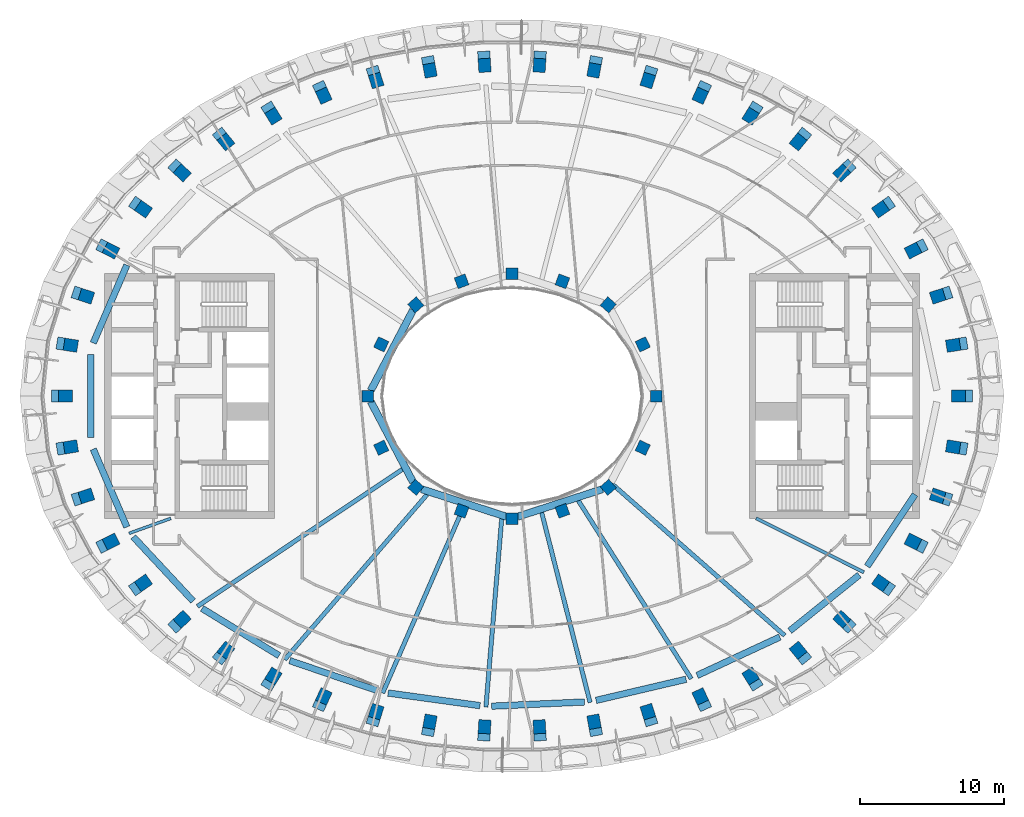
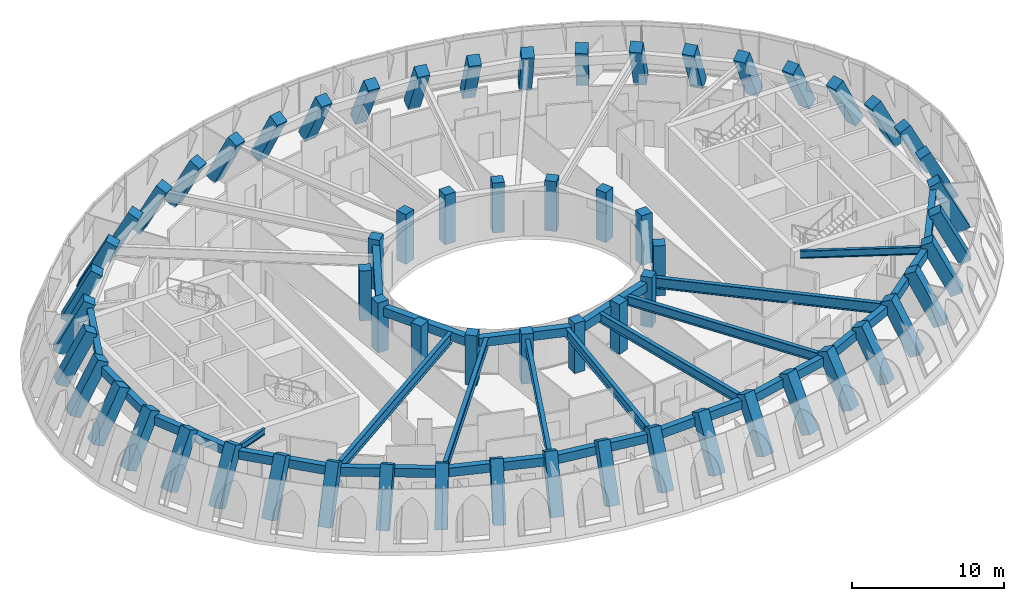
# One storey, part 1 of 14: 62 columns, 25 beams.
"""IFC4 building model written with IfcOpenShell, lengths in metres."""

from ifc_helpers import new_model, si_unit, direction, frame, origin, origin_2d, place, context, subcontext, project, spatial, rectangle, i_section, extrude, material, material_profile, profile_set, type_object, element, save


model = new_model("IFC4")

# Units and contexts
model_context = context("Model", 3, precision=1e-05, world=origin(), true_north=direction((0.0, 1.0)))
body_context = subcontext(model_context, "Body", "Model", "MODEL_VIEW")
ifc_project = project(units=[si_unit("LENGTHUNIT", "METRE"), si_unit("AREAUNIT", "SQUARE_METRE"), si_unit("VOLUMEUNIT", "CUBIC_METRE"), si_unit("PLANEANGLEUNIT", "RADIAN"), si_unit("MASSUNIT", "GRAM", prefix="KILO")], contexts=[model_context])

# Site, building, storey
site_placement = place(None, origin())
site = spatial("IfcSite", under=ifc_project, at=site_placement, CompositionType="ELEMENT")
building_placement = place(site_placement, origin())
building = spatial("IfcBuilding", under=site, at=building_placement, Name="Noorbagh Ring Tower", CompositionType="ELEMENT")
storey_placement = place(building_placement, frame((0.0, 0.0, 343.0)))
storey = spatial("IfcBuildingStorey", under=building, at=storey_placement, Name="L75", CompositionType="ELEMENT", Elevation=343.0)

# Columns
ifc_material_1 = material(Name="Concrete C50/60", Category="concrete")
ifc_material_profile_1 = material_profile(ifc_material_1, rectangle(XDim=0.85009765625, YDim=0.85009765625, at=origin_2d()), Name="RC850x850")
ifc_profile_set_1 = profile_set([ifc_material_profile_1], Name="Concrete C50/60")
column_type_1 = type_object("IfcColumnType", Name="STR-COL-RC850x850-C50-60", PredefinedType="COLUMN", material=ifc_profile_set_1)
for number, where, z_axis, x_axis, name in (
    (1, (31.594482421875, 0.0, 0.02099609375), (-0.450757092192, 0.0, 0.892646651167), (0.0, -1.0, 0.0), "L75/col/R1-01"),
    (2, (31.218505859375, 3.623291015625, 0.02099609375), (-0.445043976848, -0.071162972536, 0.892676699601), (0.157895172846, -0.987455879719, 0.0), "L75/col/R1-02"),
):
    element("IfcColumn", number, at=place(storey_placement, frame(where, z_axis=z_axis, x_axis=x_axis)), inside=storey, type_object=column_type_1, Name=name, PredefinedType="COLUMN", context=body_context, shape_type="SweptSolid", body=[
        extrude(rectangle(XDim=0.85009765625, YDim=0.85009765625, at=origin_2d()), origin(), (0.0, 0.0, 1.0), 4.4326171875),
    ])
column_1_placement = place(storey_placement, frame((30.119140625, 7.116455078125, 0.02099609375), z_axis=(-0.428540493742, -0.139303201629, 0.892719252195), x_axis=(0.30914135212, -0.951016101025, 0.0)))
element("IfcColumn", 3, at=column_1_placement, inside=storey, type_object=column_type_1, Name="L75/col/R1-03", PredefinedType="COLUMN", context=body_context, shape_type="SweptSolid", body=[
    extrude(rectangle(XDim=0.85009765625, YDim=0.85009765625, at=origin_2d()), origin(), (0.0, 0.0, 1.0), 4.432373046875),
])
for number, where, z_axis, x_axis, name in (
    (4, (28.370849609375, 10.371337890625, 0.02099609375), (-0.402575725413, -0.202114167562, 0.89279485246), (0.448680468541, -0.893692249686, 0.0), "L75/col/R1-04"),
    (5, (26.073974609375, 13.313232421875, 0.02099609375), (-0.369035856226, -0.258253484697, 0.892814468107), (0.573355632338, -0.819306608582, 0.0), "L75/col/R1-05"),
    (6, (23.33203125, 15.8994140625, 0.02099609375), (-0.329477432861, -0.307167056618, 0.892800661158), (0.681908561714, -0.731437429629, 0.0), "L75/col/R1-06"),
    (7, (20.239990234375, 18.110107421875, 0.02099609375), (-0.285240652383, -0.348645826368, 0.892795529774), (0.773973644643, -0.633217811971, 0.0), "L75/col/R1-07"),
    (8, (16.879150390625, 19.94091796875, 0.02099609375), (-0.237478250866, -0.382796651651, 0.892788218925), (0.84975917572, -0.527171075914, 0.0), "L75/col/R1-08"),
):
    element("IfcColumn", number, at=place(storey_placement, frame(where, z_axis=z_axis, x_axis=x_axis)), inside=storey, type_object=column_type_1, Name=name, PredefinedType="COLUMN", context=body_context, shape_type="SweptSolid", body=[
        extrude(rectangle(XDim=0.85009765625, YDim=0.85009765625, at=origin_2d()), origin(), (0.0, 0.0, 1.0), 4.431884765625),
    ])
column_2_placement = place(storey_placement, frame((13.31689453125, 21.39501953125, 0.02099609375), z_axis=(-0.18717662493, -0.409827571948, 0.892752077764), x_axis=(0.909619713, -0.415441906555, 0.0)))
element("IfcColumn", 9, at=column_2_placement, inside=storey, type_object=column_type_1, Name="L75/col/R1-09", PredefinedType="COLUMN", context=body_context, shape_type="SweptSolid", body=[
    extrude(rectangle(XDim=0.85009765625, YDim=0.85009765625, at=origin_2d()), origin(), (0.0, 0.0, 1.0), 4.43212890625),
])
for number, where, z_axis, x_axis, name in (
    (10, (9.609130859375, 22.478271484375, 0.02099609375), (-0.134949262751, -0.429964875526, 0.892703143434), (0.954109516805, -0.299457893437, 0.0), "L75/col/R1-10"),
    (11, (5.80322265625, 23.1962890625, 0.02099609375), (-0.08146460822, -0.443235768996, 0.892695676415), (0.983525886167, -0.180767340082, 0.0), "L75/col/R1-11"),
):
    element("IfcColumn", number, at=place(storey_placement, frame(where, z_axis=z_axis, x_axis=x_axis)), inside=storey, type_object=column_type_1, Name=name, PredefinedType="COLUMN", context=body_context, shape_type="SweptSolid", body=[
        extrude(rectangle(XDim=0.85009765625, YDim=0.85009765625, at=origin_2d()), origin(), (0.0, 0.0, 1.0), 4.432373046875),
    ])
for number, where, z_axis, x_axis, name in (
    (12, (1.940673828125, 23.55419921875, 0.02099609375), (-0.027264220576, -0.449887179114, 0.892669137108), (0.998168720238, -0.060491370778, 0.0), "L75/col/R1-12"),
    (13, (-1.940673828125, 23.55419921875, 0.02099609375), (0.027264220576, -0.449887179114, 0.892669137108), (0.998168720238, 0.060491370778, 0.0), "L75/col/R1-13"),
):
    element("IfcColumn", number, at=place(storey_placement, frame(where, z_axis=z_axis, x_axis=x_axis)), inside=storey, type_object=column_type_1, Name=name, PredefinedType="COLUMN", context=body_context, shape_type="SweptSolid", body=[
        extrude(rectangle(XDim=0.85009765625, YDim=0.85009765625, at=origin_2d()), origin(), (0.0, 0.0, 1.0), 4.4326171875),
    ])
for number, where, z_axis, x_axis, name in (
    (14, (-5.80322265625, 23.1962890625, 0.02099609375), (0.08146460822, -0.443235768996, 0.892695676415), (0.983525886167, 0.180767340082, 0.0), "L75/col/R1-14"),
    (15, (-9.609130859375, 22.478271484375, 0.02099609375), (0.134949262751, -0.429964875526, 0.892703143434), (0.954109516805, 0.299457893437, 0.0), "L75/col/R1-15"),
):
    element("IfcColumn", number, at=place(storey_placement, frame(where, z_axis=z_axis, x_axis=x_axis)), inside=storey, type_object=column_type_1, Name=name, PredefinedType="COLUMN", context=body_context, shape_type="SweptSolid", body=[
        extrude(rectangle(XDim=0.85009765625, YDim=0.85009765625, at=origin_2d()), origin(), (0.0, 0.0, 1.0), 4.432373046875),
    ])
column_3_placement = place(storey_placement, frame((-13.31689453125, 21.39501953125, 0.02099609375), z_axis=(0.18717662493, -0.409827571948, 0.892752077764), x_axis=(0.909619713, 0.415441906555, 0.0)))
element("IfcColumn", 16, at=column_3_placement, inside=storey, type_object=column_type_1, Name="L75/col/R1-16", PredefinedType="COLUMN", context=body_context, shape_type="SweptSolid", body=[
    extrude(rectangle(XDim=0.85009765625, YDim=0.85009765625, at=origin_2d()), origin(), (0.0, 0.0, 1.0), 4.43212890625),
])
for number, where, z_axis, x_axis, name in (
    (17, (-16.879150390625, 19.94091796875, 0.02099609375), (0.237478250866, -0.382796651651, 0.892788218925), (0.84975917572, 0.527171075914, 0.0), "L75/col/R1-17"),
    (18, (-20.239990234375, 18.110107421875, 0.02099609375), (0.285240652383, -0.348645826368, 0.892795529774), (0.773973644643, 0.633217811971, 0.0), "L75/col/R1-18"),
    (19, (-23.33203125, 15.8994140625, 0.02099609375), (0.329477432861, -0.307167056618, 0.892800661158), (0.681908561714, 0.731437429629, 0.0), "L75/col/R1-19"),
    (20, (-26.073974609375, 13.313232421875, 0.02099609375), (0.369035856226, -0.258253484697, 0.892814468107), (0.573355632338, 0.819306608582, 0.0), "L75/col/R1-20"),
    (21, (-28.370849609375, 10.371337890625, 0.02099609375), (0.402575725413, -0.202114167562, 0.89279485246), (0.448680468541, 0.893692249686, 0.0), "L75/col/R1-21"),
):
    element("IfcColumn", number, at=place(storey_placement, frame(where, z_axis=z_axis, x_axis=x_axis)), inside=storey, type_object=column_type_1, Name=name, PredefinedType="COLUMN", context=body_context, shape_type="SweptSolid", body=[
        extrude(rectangle(XDim=0.85009765625, YDim=0.85009765625, at=origin_2d()), origin(), (0.0, 0.0, 1.0), 4.431884765625),
    ])
column_4_placement = place(storey_placement, frame((-30.119140625, 7.116455078125, 0.02099609375), z_axis=(0.428540493742, -0.139303201629, 0.892719252195), x_axis=(0.30914135212, 0.951016101025, 0.0)))
element("IfcColumn", 22, at=column_4_placement, inside=storey, type_object=column_type_1, Name="L75/col/R1-22", PredefinedType="COLUMN", context=body_context, shape_type="SweptSolid", body=[
    extrude(rectangle(XDim=0.85009765625, YDim=0.85009765625, at=origin_2d()), origin(), (0.0, 0.0, 1.0), 4.432373046875),
])
for number, where, z_axis, x_axis, name in (
    (23, (-31.218505859375, 3.623291015625, 0.02099609375), (0.445043976848, -0.071162972536, 0.892676699601), (0.157895172846, 0.987455879719, 0.0), "L75/col/R1-23"),
    (24, (-31.594482421875, 0.0, 0.02099609375), (0.450757092192, 0.0, 0.892646651167), (0.0, 1.0, 0.0), "L75/col/R1-24"),
    (25, (-31.218505859375, -3.623291015625, 0.02099609375), (0.445043976848, 0.071162972536, 0.892676699601), (-0.157895172846, 0.987455879719, 0.0), "L75/col/R1-25"),
):
    element("IfcColumn", number, at=place(storey_placement, frame(where, z_axis=z_axis, x_axis=x_axis)), inside=storey, type_object=column_type_1, Name=name, PredefinedType="COLUMN", context=body_context, shape_type="SweptSolid", body=[
        extrude(rectangle(XDim=0.85009765625, YDim=0.85009765625, at=origin_2d()), origin(), (0.0, 0.0, 1.0), 4.4326171875),
    ])
column_5_placement = place(storey_placement, frame((-30.119140625, -7.116455078125, 0.02099609375), z_axis=(0.428540493742, 0.139303201629, 0.892719252195), x_axis=(-0.30914135212, 0.951016101025, 0.0)))
element("IfcColumn", 26, at=column_5_placement, inside=storey, type_object=column_type_1, Name="L75/col/R1-26", PredefinedType="COLUMN", context=body_context, shape_type="SweptSolid", body=[
    extrude(rectangle(XDim=0.85009765625, YDim=0.85009765625, at=origin_2d()), origin(), (0.0, 0.0, 1.0), 4.432373046875),
])
for number, where, z_axis, x_axis, name in (
    (27, (-28.370849609375, -10.371337890625, 0.02099609375), (0.402575725413, 0.202114167562, 0.89279485246), (-0.448680468541, 0.893692249686, 0.0), "L75/col/R1-27"),
    (28, (-26.073974609375, -13.313232421875, 0.02099609375), (0.369035856226, 0.258253484697, 0.892814468107), (-0.573355632338, 0.819306608582, 0.0), "L75/col/R1-28"),
    (29, (-23.33203125, -15.8994140625, 0.02099609375), (0.329477432861, 0.307167056618, 0.892800661158), (-0.681908561714, 0.731437429629, 0.0), "L75/col/R1-29"),
    (30, (-20.239990234375, -18.110107421875, 0.02099609375), (0.285240652383, 0.348645826368, 0.892795529774), (-0.773973644643, 0.633217811971, 0.0), "L75/col/R1-30"),
    (31, (-16.879150390625, -19.94091796875, 0.02099609375), (0.237478250866, 0.382796651651, 0.892788218925), (-0.84975917572, 0.527171075914, 0.0), "L75/col/R1-31"),
):
    element("IfcColumn", number, at=place(storey_placement, frame(where, z_axis=z_axis, x_axis=x_axis)), inside=storey, type_object=column_type_1, Name=name, PredefinedType="COLUMN", context=body_context, shape_type="SweptSolid", body=[
        extrude(rectangle(XDim=0.85009765625, YDim=0.85009765625, at=origin_2d()), origin(), (0.0, 0.0, 1.0), 4.431884765625),
    ])
column_6_placement = place(storey_placement, frame((-13.31689453125, -21.39501953125, 0.02099609375), z_axis=(0.18717662493, 0.409827571948, 0.892752077764), x_axis=(-0.909619713, 0.415441906555, 0.0)))
element("IfcColumn", 32, at=column_6_placement, inside=storey, type_object=column_type_1, Name="L75/col/R1-32", PredefinedType="COLUMN", context=body_context, shape_type="SweptSolid", body=[
    extrude(rectangle(XDim=0.85009765625, YDim=0.85009765625, at=origin_2d()), origin(), (0.0, 0.0, 1.0), 4.43212890625),
])
for number, where, z_axis, x_axis, name in (
    (33, (-9.609130859375, -22.478271484375, 0.02099609375), (0.134949262751, 0.429964875526, 0.892703143434), (-0.954109516805, 0.299457893437, 0.0), "L75/col/R1-33"),
    (34, (-5.80322265625, -23.1962890625, 0.02099609375), (0.08146460822, 0.443235768996, 0.892695676415), (-0.983525886167, 0.180767340082, 0.0), "L75/col/R1-34"),
):
    element("IfcColumn", number, at=place(storey_placement, frame(where, z_axis=z_axis, x_axis=x_axis)), inside=storey, type_object=column_type_1, Name=name, PredefinedType="COLUMN", context=body_context, shape_type="SweptSolid", body=[
        extrude(rectangle(XDim=0.85009765625, YDim=0.85009765625, at=origin_2d()), origin(), (0.0, 0.0, 1.0), 4.432373046875),
    ])
for number, where, z_axis, x_axis, name in (
    (35, (-1.940673828125, -23.55419921875, 0.02099609375), (0.027264220576, 0.449887179114, 0.892669137108), (-0.998168720238, 0.060491370778, 0.0), "L75/col/R1-35"),
    (36, (1.940673828125, -23.55419921875, 0.02099609375), (-0.027264220576, 0.449887179114, 0.892669137108), (-0.998168720238, -0.060491370778, 0.0), "L75/col/R1-36"),
):
    element("IfcColumn", number, at=place(storey_placement, frame(where, z_axis=z_axis, x_axis=x_axis)), inside=storey, type_object=column_type_1, Name=name, PredefinedType="COLUMN", context=body_context, shape_type="SweptSolid", body=[
        extrude(rectangle(XDim=0.85009765625, YDim=0.85009765625, at=origin_2d()), origin(), (0.0, 0.0, 1.0), 4.4326171875),
    ])
for number, where, z_axis, x_axis, name in (
    (37, (5.80322265625, -23.1962890625, 0.02099609375), (-0.08146460822, 0.443235768996, 0.892695676415), (-0.983525886167, -0.180767340082, 0.0), "L75/col/R1-37"),
    (38, (9.609130859375, -22.478271484375, 0.02099609375), (-0.134949262751, 0.429964875526, 0.892703143434), (-0.954109516805, -0.299457893437, 0.0), "L75/col/R1-38"),
):
    element("IfcColumn", number, at=place(storey_placement, frame(where, z_axis=z_axis, x_axis=x_axis)), inside=storey, type_object=column_type_1, Name=name, PredefinedType="COLUMN", context=body_context, shape_type="SweptSolid", body=[
        extrude(rectangle(XDim=0.85009765625, YDim=0.85009765625, at=origin_2d()), origin(), (0.0, 0.0, 1.0), 4.432373046875),
    ])
column_7_placement = place(storey_placement, frame((13.31689453125, -21.39501953125, 0.02099609375), z_axis=(-0.18717662493, 0.409827571948, 0.892752077764), x_axis=(-0.909619713, -0.415441906555, 0.0)))
element("IfcColumn", 39, at=column_7_placement, inside=storey, type_object=column_type_1, Name="L75/col/R1-39", PredefinedType="COLUMN", context=body_context, shape_type="SweptSolid", body=[
    extrude(rectangle(XDim=0.85009765625, YDim=0.85009765625, at=origin_2d()), origin(), (0.0, 0.0, 1.0), 4.43212890625),
])
for number, where, z_axis, x_axis, name in (
    (40, (16.879150390625, -19.94091796875, 0.02099609375), (-0.237478250866, 0.382796651651, 0.892788218925), (-0.84975917572, -0.527171075914, 0.0), "L75/col/R1-40"),
    (41, (20.239990234375, -18.110107421875, 0.02099609375), (-0.285240652383, 0.348645826368, 0.892795529774), (-0.773973644643, -0.633217811971, 0.0), "L75/col/R1-41"),
    (42, (23.33203125, -15.8994140625, 0.02099609375), (-0.329477432861, 0.307167056618, 0.892800661158), (-0.681908561714, -0.731437429629, 0.0), "L75/col/R1-42"),
    (43, (26.073974609375, -13.313232421875, 0.02099609375), (-0.369035856226, 0.258253484697, 0.892814468107), (-0.573355632338, -0.819306608582, 0.0), "L75/col/R1-43"),
    (44, (28.370849609375, -10.371337890625, 0.02099609375), (-0.402575725413, 0.202114167562, 0.89279485246), (-0.448680468541, -0.893692249686, 0.0), "L75/col/R1-44"),
):
    element("IfcColumn", number, at=place(storey_placement, frame(where, z_axis=z_axis, x_axis=x_axis)), inside=storey, type_object=column_type_1, Name=name, PredefinedType="COLUMN", context=body_context, shape_type="SweptSolid", body=[
        extrude(rectangle(XDim=0.85009765625, YDim=0.85009765625, at=origin_2d()), origin(), (0.0, 0.0, 1.0), 4.431884765625),
    ])
column_8_placement = place(storey_placement, frame((30.119140625, -7.116455078125, 0.02099609375), z_axis=(-0.428540493742, 0.139303201629, 0.892719252195), x_axis=(-0.30914135212, -0.951016101025, 0.0)))
element("IfcColumn", 45, at=column_8_placement, inside=storey, type_object=column_type_1, Name="L75/col/R1-45", PredefinedType="COLUMN", context=body_context, shape_type="SweptSolid", body=[
    extrude(rectangle(XDim=0.85009765625, YDim=0.85009765625, at=origin_2d()), origin(), (0.0, 0.0, 1.0), 4.432373046875),
])
column_9_placement = place(storey_placement, frame((31.218505859375, -3.623291015625, 0.02099609375), z_axis=(-0.445043976848, 0.071162972536, 0.892676699601), x_axis=(-0.157895172846, -0.987455879719, 0.0)))
element("IfcColumn", 46, at=column_9_placement, inside=storey, type_object=column_type_1, Name="L75/col/R1-46", PredefinedType="COLUMN", context=body_context, shape_type="SweptSolid", body=[
    extrude(rectangle(XDim=0.85009765625, YDim=0.85009765625, at=origin_2d()), origin(), (0.0, 0.0, 1.0), 4.4326171875),
])
ifc_material_2 = material(Name="Concrete C50/60", Category="concrete")
ifc_material_profile_2 = material_profile(ifc_material_2, rectangle(XDim=0.800048828125, YDim=0.800048828125, at=origin_2d()), Name="RC800x800")
ifc_profile_set_2 = profile_set([ifc_material_profile_2], Name="Concrete C50/60")
column_type_2 = type_object("IfcColumnType", Name="STR-ICOL-RC800x800-C50-60", PredefinedType="COLUMN", material=ifc_profile_set_2)
for number, where, z_axis, x_axis, name in (
    (47, (10.00830078125, 0.0, 0.0), (0.0, 0.0, 1.0), (0.0, 1.0, 0.0), "L75/col/IR2-W01"),
    (48, (9.07568359375, 3.58837890625, 0.0), (0.0, 0.0, 1.0), (-0.428666979171, 0.903462573087, 0.0), "L75/col/IR2-W03"),
    (49, (6.68212890625, 6.333740234375, 0.0), (0.0, 0.0, 1.0), (-0.75102249095, 0.660276622399, 0.0), "L75/col/IR2-W05"),
    (50, (3.5009765625, 7.967041015625, 0.0), (0.0, 0.0, 1.0), (-0.939019578916, 0.343863679984, 0.0), "L75/col/IR2-W07"),
    (51, (0.0, 8.5029296875, 0.0), (0.0, 0.0, 1.0), (-1.0, 0.0, 0.0), "L75/col/IR2-W09"),
    (52, (-3.5009765625, 7.967041015625, 0.0), (0.0, 0.0, 1.0), (-0.939019578916, -0.343863679984, 0.0), "L75/col/IR2-W11"),
    (53, (-6.68212890625, 6.333740234375, 0.0), (0.0, 0.0, 1.0), (-0.75102249095, -0.660276622399, 0.0), "L75/col/IR2-W13"),
    (54, (-9.07568359375, 3.58837890625, 0.0), (0.0, 0.0, 1.0), (-0.428666979171, -0.903462573087, 0.0), "L75/col/IR2-W15"),
    (55, (-10.00830078125, 0.0, 0.0), (0.0, 0.0, 1.0), (0.0, -1.0, 0.0), "L75/col/IR2-W17"),
    (56, (-9.07568359375, -3.58837890625, 0.0), (0.0, 0.0, 1.0), (0.428666979171, -0.903462573087, 0.0), "L75/col/IR2-W19"),
    (57, (-6.68212890625, -6.333740234375, 0.0), (0.0, 0.0, 1.0), (0.75102249095, -0.660276622399, 0.0), "L75/col/IR2-W21"),
    (58, (-3.5009765625, -7.967041015625, 0.0), (0.0, 0.0, 1.0), (0.939019578916, -0.343863679984, 0.0), "L75/col/IR2-W23"),
    (59, (0.0, -8.5029296875, 0.0), (0.0, 0.0, 1.0), (1.0, 0.0, 0.0), "L75/col/IR2-W25"),
    (60, (3.5009765625, -7.967041015625, 0.0), (0.0, 0.0, 1.0), (0.939019578916, 0.343863679984, 0.0), "L75/col/IR2-W27"),
    (61, (6.68212890625, -6.333740234375, 0.0), (0.0, 0.0, 1.0), (0.75102249095, 0.660276622399, 0.0), "L75/col/IR2-W29"),
    (62, (9.07568359375, -3.58837890625, 0.0), (0.0, 0.0, 1.0), (0.428666979171, 0.903462573087, 0.0), "L75/col/IR2-W31"),
):
    element("IfcColumn", number, at=place(storey_placement, frame(where, z_axis=z_axis, x_axis=x_axis)), inside=storey, type_object=column_type_2, Name=name, PredefinedType="COLUMN", context=body_context, shape_type="SweptSolid", body=[
        extrude(rectangle(XDim=0.800048828125, YDim=0.800048828125, at=origin_2d()), origin(), (0.0, 0.0, 1.0), 4.0),
    ])

# Beams
ifc_material_3 = material(Name="Steel S355", Category="steel")
ifc_material_profile_3 = material_profile(ifc_material_3, i_section(OverallWidth=0.199951171875, OverallDepth=0.5, WebThickness=0.01025390625, FlangeThickness=0.01611328125, FilletRadius=0.02099609375, at=origin_2d()), Name="IPE500")
ifc_profile_set_3 = profile_set([ifc_material_profile_3], Name="Steel S355")
beam_type_1 = type_object("IfcBeamType", Name="STR-RAD-IPE500", PredefinedType="BEAM", material=ifc_profile_set_3)
beam_1_placement = place(storey_placement, frame((-26.586669921875, -9.5322265625, 3.330078125), z_axis=(0.941303269427, 0.337562075723, 0.0), x_axis=(-0.337562075723, 0.941303269427, 0.0)))
element("IfcBeam", 63, at=beam_1_placement, inside=storey, type_object=beam_type_1, Name="L75/bm/RD27", PredefinedType="BEAM", context=body_context, shape_type="SweptSolid", body=[
    extrude(i_section(OverallWidth=0.199951171875, OverallDepth=0.5, WebThickness=0.01025390625, FlangeThickness=0.01611328125, FilletRadius=0.02099609375, at=origin_2d()), origin(), (0.0, 0.0, 1.0), 3.078125),
])
ifc_material_4 = material(Name="Steel S355", Category="steel")
ifc_material_profile_4 = material_profile(ifc_material_4, i_section(OverallWidth=0.219970703125, OverallDepth=0.60009765625, WebThickness=0.011962890625, FlangeThickness=0.01904296875, FilletRadius=0.02392578125, at=origin_2d()), Name="IPE600")
ifc_profile_set_4 = profile_set([ifc_material_profile_4], Name="Steel S355")
beam_type_2 = type_object("IfcBeamType", Name="STR-RAD-IPE600", PredefinedType="BEAM", material=ifc_profile_set_4)
beam_2_placement = place(storey_placement, frame((24.421142578125, -12.231689453125, 3.280029296875), z_axis=(-0.894117158384, 0.447833124146, 0.0), x_axis=(-0.447833124146, -0.894117158384, 0.0)))
element("IfcBeam", 64, at=beam_2_placement, inside=storey, type_object=beam_type_2, Name="L75/bm/RD43", PredefinedType="BEAM", context=body_context, shape_type="SweptSolid", body=[
    extrude(i_section(OverallWidth=0.219970703125, OverallDepth=0.60009765625, WebThickness=0.011962890625, FlangeThickness=0.01904296875, FilletRadius=0.02392578125, at=origin_2d()), origin(), (0.0, 0.0, 1.0), 8.35302734375),
])
ifc_material_5 = material(Name="Steel S355", Category="steel")
ifc_material_profile_5 = material_profile(ifc_material_5, i_section(OverallWidth=0.300048828125, OverallDepth=0.75, WebThickness=0.013916015625, FlangeThickness=0.02587890625, at=origin_2d()), Name="PG750x300x14x26")
ifc_profile_set_5 = profile_set([ifc_material_profile_5], Name="Steel S355")
beam_type_3 = type_object("IfcBeamType", Name="STR-RAD-PG750x300x14x26", PredefinedType="BEAM", material=ifc_profile_set_5)
beam_3_placement = place(storey_placement, frame((-15.783203125, -18.299072265625, 3.205078125), z_axis=(0.653131933297, 0.757244133492, 0.0), x_axis=(-0.757244133492, 0.653131933297, 0.0)))
element("IfcBeam", 65, at=beam_3_placement, inside=storey, type_object=beam_type_3, Name="L75/bm/RD31", PredefinedType="BEAM", context=body_context, shape_type="SweptSolid", body=[
    extrude(i_section(OverallWidth=0.300048828125, OverallDepth=0.75, WebThickness=0.013916015625, FlangeThickness=0.02587890625, at=origin_2d()), origin(), (0.0, 0.0, 1.0), 15.1416015625),
])
beam_4_placement = place(storey_placement, frame((-8.978515625, -20.615234375, 3.205078125), z_axis=(0.399297222703, 0.916821535492, 0.0), x_axis=(-0.916821535492, 0.399297222703, 0.0)))
element("IfcBeam", 66, at=beam_4_placement, inside=storey, type_object=beam_type_3, Name="L75/bm/RD33", PredefinedType="BEAM", context=body_context, shape_type="SweptSolid", body=[
    extrude(i_section(OverallWidth=0.300048828125, OverallDepth=0.75, WebThickness=0.013916015625, FlangeThickness=0.02587890625, at=origin_2d()), origin(), (0.0, 0.0, 1.0), 14.12890625),
])
beam_5_placement = place(storey_placement, frame((-1.8125, -21.59619140625, 3.205078125), z_axis=(0.083624107513, 0.996497370113, 0.0), x_axis=(-0.996497370113, 0.083624107513, 0.0)))
element("IfcBeam", 67, at=beam_5_placement, inside=storey, type_object=beam_type_3, Name="L75/bm/RD35", PredefinedType="BEAM", context=body_context, shape_type="SweptSolid", body=[
    extrude(i_section(OverallWidth=0.300048828125, OverallDepth=0.75, WebThickness=0.013916015625, FlangeThickness=0.02587890625, at=origin_2d()), origin(), (0.0, 0.0, 1.0), 13.12890625),
])
beam_6_placement = place(storey_placement, frame((5.421142578125, -21.27001953125, 3.205078125), z_axis=(-0.246984226711, 0.969019500194, 0.0), x_axis=(-0.969019500194, -0.246984226711, 0.0)))
element("IfcBeam", 68, at=beam_6_placement, inside=storey, type_object=beam_type_3, Name="L75/bm/RD37", PredefinedType="BEAM", context=body_context, shape_type="SweptSolid", body=[
    extrude(i_section(OverallWidth=0.300048828125, OverallDepth=0.75, WebThickness=0.013916015625, FlangeThickness=0.02587890625, at=origin_2d()), origin(), (0.0, 0.0, 1.0), 13.615478515625),
])
beam_7_placement = place(storey_placement, frame((12.447021484375, -19.626953125, 3.205078125), z_axis=(-0.535561733224, 0.844496080456, 0.0), x_axis=(-0.844496080456, -0.535561733224, 0.0)))
element("IfcBeam", 69, at=beam_7_placement, inside=storey, type_object=beam_type_3, Name="L75/bm/RD39", PredefinedType="BEAM", context=body_context, shape_type="SweptSolid", body=[
    extrude(i_section(OverallWidth=0.300048828125, OverallDepth=0.75, WebThickness=0.013916015625, FlangeThickness=0.02587890625, at=origin_2d()), origin(), (0.0, 0.0, 1.0), 14.653076171875),
])
ifc_material_6 = material(Name="Steel S355", Category="steel")
ifc_material_profile_6 = material_profile(ifc_material_6, i_section(OverallWidth=0.300048828125, OverallDepth=0.85009765625, WebThickness=0.013916015625, FlangeThickness=0.028076171875, at=origin_2d()), Name="PG850x300x14x28")
ifc_profile_set_6 = profile_set([ifc_material_profile_6], Name="Steel S355")
beam_type_4 = type_object("IfcBeamType", Name="STR-RAD-PG850x300x14x28", PredefinedType="BEAM", material=ifc_profile_set_6)
beam_8_placement = place(storey_placement, frame((-21.84033203125, -14.601806640625, 3.155029296875), z_axis=(0.831319419841, 0.555794946177, 0.0), x_axis=(-0.555794946177, 0.831319419841, 0.0)))
element("IfcBeam", 70, at=beam_8_placement, inside=storey, type_object=beam_type_4, Name="L75/bm/RD29", PredefinedType="BEAM", context=body_context, shape_type="SweptSolid", body=[
    extrude(i_section(OverallWidth=0.300048828125, OverallDepth=0.85009765625, WebThickness=0.013916015625, FlangeThickness=0.028076171875, at=origin_2d()), origin(), (0.0, 0.0, 1.0), 17.1298828125),
])
beam_9_placement = place(storey_placement, frame((18.935302734375, -16.625244140625, 3.155029296875), z_axis=(-0.751460685639, 0.659777870149, 0.0), x_axis=(-0.659777870149, -0.751460685639, 0.0)))
element("IfcBeam", 71, at=beam_9_placement, inside=storey, type_object=beam_type_4, Name="L75/bm/RD41", PredefinedType="BEAM", context=body_context, shape_type="SweptSolid", body=[
    extrude(i_section(OverallWidth=0.300048828125, OverallDepth=0.85009765625, WebThickness=0.013916015625, FlangeThickness=0.028076171875, at=origin_2d()), origin(), (0.0, 0.0, 1.0), 16.304931640625),
])
ifc_material_7 = material(Name="Concrete C40/50", Category="concrete")
ifc_material_profile_7 = material_profile(ifc_material_7, rectangle(XDim=0.5, YDim=0.699951171875, at=origin_2d()), Name="RC500x700")
ifc_profile_set_7 = profile_set([ifc_material_profile_7], Name="Concrete C40/50")
beam_type_5 = type_object("IfcBeamType", Name="STR-RB-RC500x700-C40-50", PredefinedType="BEAM", material=ifc_profile_set_7)
for number, where, z_axis, x_axis, name in (
    (72, (-6.8720703125, 5.97216796875, 3.22998046875), (-0.464943021964, -0.885340604698, 0.0), (0.885340604698, -0.464943021964, 0.0), "L75/bm/RG07"),
    (73, (-9.8076171875, -0.38232421875, 3.22998046875), (0.464943021964, -0.885340604698, 0.0), (0.885340604698, 0.464943021964, 0.0), "L75/bm/RG09"),
):
    element("IfcBeam", number, at=place(storey_placement, frame(where, z_axis=z_axis, x_axis=x_axis)), inside=storey, type_object=beam_type_5, Name=name, PredefinedType="BEAM", context=body_context, shape_type="SweptSolid", body=[
        extrude(rectangle(XDim=0.5, YDim=0.699951171875, at=origin_2d()), origin(), (0.0, 0.0, 1.0), 6.313720703125),
    ])
for number, where, z_axis, x_axis, name in (
    (74, (-6.286865234375, -6.462158203125, 3.22998046875), (0.951150444931, -0.308727762126, 0.0), (0.308727762126, 0.951150444931, 0.0), "L75/bm/RG11"),
    (75, (0.380859375, -8.379150390625, 3.22998046875), (0.951150444931, 0.308727762126, 0.0), (-0.308727762126, 0.951150444931, 0.0), "L75/bm/RG13"),
):
    element("IfcBeam", number, at=place(storey_placement, frame(where, z_axis=z_axis, x_axis=x_axis)), inside=storey, type_object=beam_type_5, Name=name, PredefinedType="BEAM", context=body_context, shape_type="SweptSolid", body=[
        extrude(rectangle(XDim=0.5, YDim=0.699951171875, at=origin_2d()), origin(), (0.0, 0.0, 1.0), 6.209228515625),
    ])
ifc_material_8 = material(Name="Concrete C40/50", Category="concrete")
ifc_material_profile_8 = material_profile(ifc_material_8, rectangle(XDim=0.449951171875, YDim=0.699951171875, at=origin_2d()), Name="RC450x700")
ifc_profile_set_8 = profile_set([ifc_material_profile_8], Name="Concrete C40/50")
beam_type_6 = type_object("IfcBeamType", Name="STR-SB-RC450x700-C40-50", PredefinedType="BEAM", material=ifc_profile_set_8)
beam_10_placement = place(storey_placement, frame((-26.73974609375, 9.09228515625, 3.22998046875), z_axis=(-0.395960176557, -0.918267683511, 0.0), x_axis=(0.918267683511, -0.395960176557, 0.0)))
element("IfcBeam", 76, at=beam_10_placement, inside=storey, type_object=beam_type_6, Name="L75/bm/SP21", PredefinedType="BEAM", context=body_context, shape_type="SweptSolid", body=[
    extrude(rectangle(XDim=0.449951171875, YDim=0.699951171875, at=origin_2d()), origin(), (0.0, 0.0, 1.0), 5.8876953125),
])
beam_11_placement = place(storey_placement, frame((-29.23486328125, 2.8916015625, 3.22998046875), z_axis=(0.0, -1.0, 0.0), x_axis=(1.0, 0.0, 0.0)))
element("IfcBeam", 77, at=beam_11_placement, inside=storey, type_object=beam_type_6, Name="L75/bm/SP23", PredefinedType="BEAM", context=body_context, shape_type="SweptSolid", body=[
    extrude(rectangle(XDim=0.449951171875, YDim=0.699951171875, at=origin_2d()), origin(), (0.0, 0.0, 1.0), 5.783203125),
])
beam_12_placement = place(storey_placement, frame((-29.071044921875, -3.685791015625, 3.22998046875), z_axis=(0.395960176557, -0.918267683511, 0.0), x_axis=(0.918267683511, 0.395960176557, 0.0)))
element("IfcBeam", 78, at=beam_12_placement, inside=storey, type_object=beam_type_6, Name="L75/bm/SP25", PredefinedType="BEAM", context=body_context, shape_type="SweptSolid", body=[
    extrude(rectangle(XDim=0.449951171875, YDim=0.699951171875, at=origin_2d()), origin(), (0.0, 0.0, 1.0), 5.8876953125),
])
beam_13_placement = place(storey_placement, frame((-26.296630859375, -9.77099609375, 3.22998046875), z_axis=(0.681564283334, -0.731758244015, 0.0), x_axis=(0.731758244015, 0.681564283334, 0.0)))
element("IfcBeam", 79, at=beam_13_placement, inside=storey, type_object=beam_type_6, Name="L75/bm/SP27", PredefinedType="BEAM", context=body_context, shape_type="SweptSolid", body=[
    extrude(rectangle(XDim=0.449951171875, YDim=0.699951171875, at=origin_2d()), origin(), (0.0, 0.0, 1.0), 6.094482421875),
])
beam_14_placement = place(storey_placement, frame((-21.515380859375, -14.743896484375, 3.22998046875), z_axis=(0.852552574535, -0.522641471426, 0.0), x_axis=(0.522641471426, 0.852552574535, 0.0)))
element("IfcBeam", 80, at=beam_14_placement, inside=storey, type_object=beam_type_6, Name="L75/bm/SP29", PredefinedType="BEAM", context=body_context, shape_type="SweptSolid", body=[
    extrude(rectangle(XDim=0.449951171875, YDim=0.699951171875, at=origin_2d()), origin(), (0.0, 0.0, 1.0), 6.271728515625),
])
beam_15_placement = place(storey_placement, frame((-15.43505859375, -18.366455078125, 3.22998046875), z_axis=(0.946325041054, -0.323216516709, 0.0), x_axis=(0.323216516709, 0.946325041054, 0.0)))
element("IfcBeam", 81, at=beam_15_placement, inside=storey, type_object=beam_type_6, Name="L75/bm/SP31", PredefinedType="BEAM", context=body_context, shape_type="SweptSolid", body=[
    extrude(rectangle(XDim=0.449951171875, YDim=0.699951171875, at=origin_2d()), origin(), (0.0, 0.0, 1.0), 6.385009765625),
])
beam_16_placement = place(storey_placement, frame((-8.6044921875, -20.6171875, 3.22998046875), z_axis=(0.990701967037, -0.136050036786, 0.0), x_axis=(0.136050036786, 0.990701967037, 0.0)))
element("IfcBeam", 82, at=beam_16_placement, inside=storey, type_object=beam_type_6, Name="L75/bm/SP33", PredefinedType="BEAM", context=body_context, shape_type="SweptSolid", body=[
    extrude(rectangle(XDim=0.449951171875, YDim=0.699951171875, at=origin_2d()), origin(), (0.0, 0.0, 1.0), 6.442138671875),
])
beam_17_placement = place(storey_placement, frame((-1.412841796875, -21.530517578125, 3.22998046875), z_axis=(0.998979199378, 0.045172549292, 0.0), x_axis=(-0.045172549292, 0.998979199378, 0.0)))
element("IfcBeam", 83, at=beam_17_placement, inside=storey, type_object=beam_type_6, Name="L75/bm/SP35", PredefinedType="BEAM", context=body_context, shape_type="SweptSolid", body=[
    extrude(rectangle(XDim=0.449951171875, YDim=0.699951171875, at=origin_2d()), origin(), (0.0, 0.0, 1.0), 6.453125),
])
beam_18_placement = place(storey_placement, frame((5.836181640625, -21.127685546875, 3.22998046875), z_axis=(0.973567575647, 0.228399158601, 0.0), x_axis=(-0.228399158601, 0.973567575647, 0.0)))
element("IfcBeam", 84, at=beam_18_placement, inside=storey, type_object=beam_type_6, Name="L75/bm/SP37", PredefinedType="BEAM", context=body_context, shape_type="SweptSolid", body=[
    extrude(rectangle(XDim=0.449951171875, YDim=0.699951171875, at=origin_2d()), origin(), (0.0, 0.0, 1.0), 6.419921875),
])
beam_19_placement = place(storey_placement, frame((12.852294921875, -19.396728515625, 3.22998046875), z_axis=(0.906970067823, 0.421195080779, 0.0), x_axis=(-0.421195080779, 0.906970067823, 0.0)))
element("IfcBeam", 85, at=beam_19_placement, inside=storey, type_object=beam_type_6, Name="L75/bm/SP39", PredefinedType="BEAM", context=body_context, shape_type="SweptSolid", body=[
    extrude(rectangle(XDim=0.449951171875, YDim=0.699951171875, at=origin_2d()), origin(), (0.0, 0.0, 1.0), 6.3359375),
])
beam_20_placement = place(storey_placement, frame((19.287109375, -16.300048828125, 3.22998046875), z_axis=(0.779092016684, 0.626909586415, 0.0), x_axis=(-0.626909586415, 0.779092016684, 0.0)))
element("IfcBeam", 86, at=beam_20_placement, inside=storey, type_object=beam_type_6, Name="L75/bm/SP41", PredefinedType="BEAM", context=body_context, shape_type="SweptSolid", body=[
    extrude(rectangle(XDim=0.449951171875, YDim=0.699951171875, at=origin_2d()), origin(), (0.0, 0.0, 1.0), 6.19091796875),
])
beam_21_placement = place(storey_placement, frame((24.656982421875, -11.82080078125, 3.22998046875), z_axis=(0.554916538762, 0.831906025347, 0.0), x_axis=(-0.831906025347, 0.554916538762, 0.0)))
element("IfcBeam", 87, at=beam_21_placement, inside=storey, type_object=beam_type_6, Name="L75/bm/SP43", PredefinedType="BEAM", context=body_context, shape_type="SweptSolid", body=[
    extrude(rectangle(XDim=0.449951171875, YDim=0.699951171875, at=origin_2d()), origin(), (0.0, 0.0, 1.0), 5.9892578125),
])

save(model, "model.ifc")
